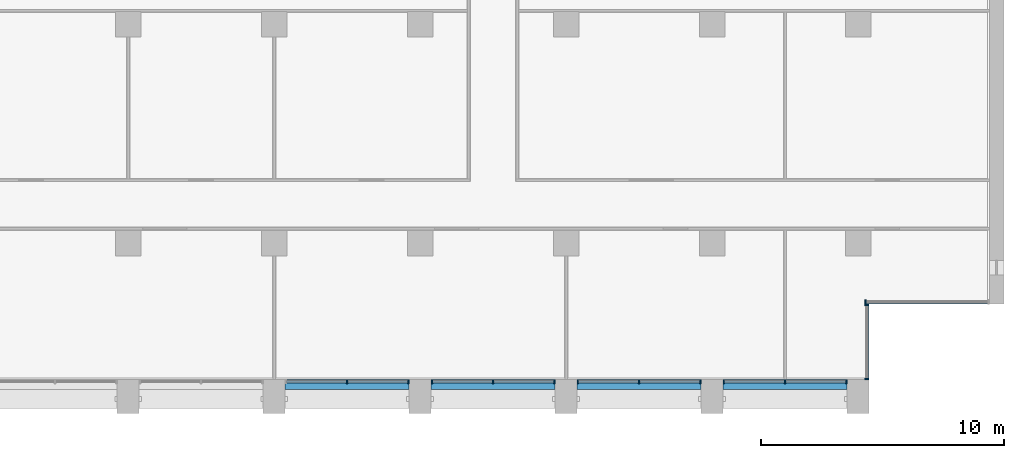
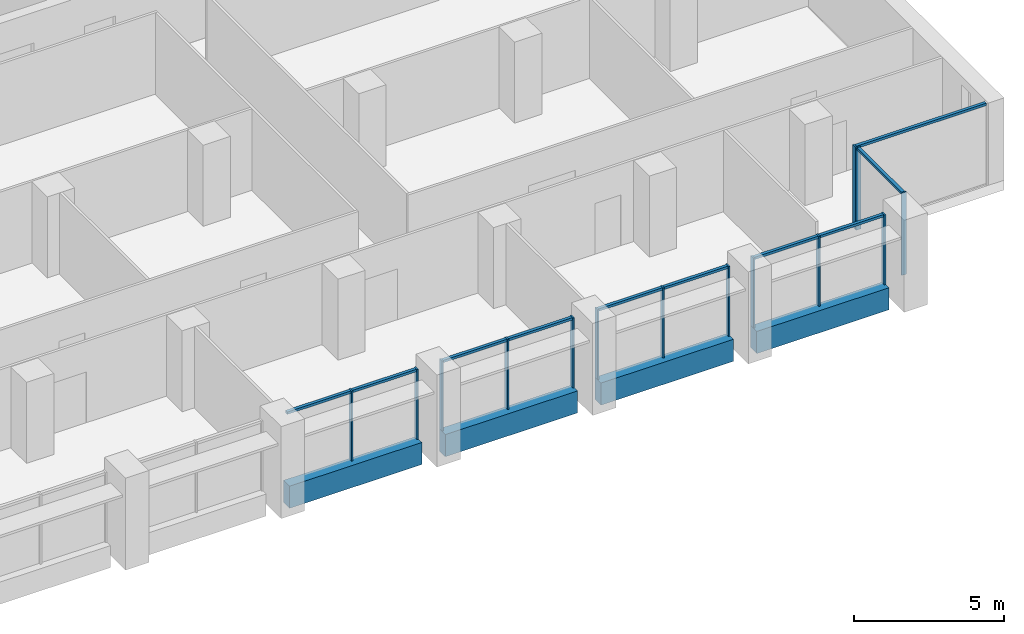
# One storey, part 3 of 17: 24 members, 4 beams, 6 elements without a shape of their own.
"""IFC4 building model written with IfcOpenShell, lengths in metres."""

from ifc_helpers import new_model, si_unit, direction, frame, origin, origin_2d, place, context, subcontext, project, spatial, rectangle, extrude, material, material_profile, profile_set, type_object, element, aggregate, save


model = new_model("IFC4")

# Units and contexts
model_context = context("Model", 3, precision=1e-05, world=origin(), true_north=direction((0.0, 1.0)))
body_context = subcontext(model_context, "Body", "Model", "MODEL_VIEW")
ifc_project = project(units=[si_unit("LENGTHUNIT", "METRE"), si_unit("AREAUNIT", "SQUARE_METRE"), si_unit("VOLUMEUNIT", "CUBIC_METRE"), si_unit("PLANEANGLEUNIT", "RADIAN"), si_unit("MASSUNIT", "GRAM", prefix="KILO")], contexts=[model_context])

# Site, building, storey
site_placement = place(None, origin())
site = spatial("IfcSite", under=ifc_project, at=site_placement, CompositionType="ELEMENT")
building_placement = place(site_placement, origin())
building = spatial("IfcBuilding", under=site, at=building_placement, Name="Calvaro Tower", CompositionType="ELEMENT")
storey_placement = place(building_placement, frame((0.0, 0.0, 200.5)))
storey = spatial("IfcBuildingStorey", under=building, at=storey_placement, Name="L50", CompositionType="ELEMENT", Elevation=200.5)

# Curtain wall, members
ifc_material_1 = material(Name="Anodised aluminium", Category="aluminium")
curtain_wall_type = type_object("IfcCurtainWallType", Name="Office curtain wall, upper zone", PredefinedType="NOTDEFINED", material=ifc_material_1)
curtain_wall_1_placement = place(storey_placement, origin())
curtain_wall_1 = element("IfcCurtainWall", 1, at=curtain_wall_1_placement, inside=storey, type_object=curtain_wall_type, Name="CW3 south curtain wall", PredefinedType="NOTDEFINED")
ifc_material_2 = material(Name="Anodised aluminium", Category="aluminium")
ifc_material_profile_1 = material_profile(ifc_material_2, rectangle(XDim=0.179931640625, YDim=0.06005859375, at=origin_2d()), Name="Mullion S3 60 x 180")
ifc_profile_set_1 = profile_set([ifc_material_profile_1], Name="Anodised aluminium")
member_type_1 = type_object("IfcMemberType", Name="Mullion S3 60 x 180", PredefinedType="MULLION", material=ifc_profile_set_1)
member_1_placement = place(storey_placement, frame((45.0, 4.31005859375, 0.0), z_axis=(0.0, 0.0, 1.0), x_axis=(0.0, 1.0, 0.0)))
member_1 = element("IfcMember", 2, at=member_1_placement, type_object=member_type_1, Name="CW3 mullion 2", PredefinedType="MULLION", context=body_context, shape_type="SweptSolid", body=[
    extrude(rectangle(XDim=0.179931640625, YDim=0.06005859375, at=origin_2d()), origin(), (0.0, 0.0, 1.0), 2.85009765625),
])
member_2_placement = place(storey_placement, frame((47.52001953125, 4.31005859375, 0.0), z_axis=(0.0, 0.0, 1.0), x_axis=(0.0, 1.0, 0.0)))
member_2 = element("IfcMember", 3, at=member_2_placement, type_object=member_type_1, Name="CW3 mullion 3", PredefinedType="MULLION", context=body_context, shape_type="SweptSolid", body=[
    extrude(rectangle(XDim=0.179931640625, YDim=0.06005859375, at=origin_2d()), origin(), (0.0, 0.0, 1.0), 2.85009765625),
])

curtain_wall_2_placement = place(storey_placement, origin())
curtain_wall_2 = element("IfcCurtainWall", 4, at=curtain_wall_2_placement, inside=storey, type_object=curtain_wall_type, Name="CW3 south curtain wall", PredefinedType="NOTDEFINED")
member_3_placement = place(storey_placement, frame((48.47998046875, 4.31005859375, 0.0), z_axis=(0.0, 0.0, 1.0), x_axis=(0.0, 1.0, 0.0)))
member_3 = element("IfcMember", 5, at=member_3_placement, type_object=member_type_1, Name="CW3 mullion 1", PredefinedType="MULLION", context=body_context, shape_type="SweptSolid", body=[
    extrude(rectangle(XDim=0.179931640625, YDim=0.06005859375, at=origin_2d()), origin(), (0.0, 0.0, 1.0), 2.85009765625),
])
member_4_placement = place(storey_placement, frame((51.0, 4.31005859375, 0.0), z_axis=(0.0, 0.0, 1.0), x_axis=(0.0, 1.0, 0.0)))
member_4 = element("IfcMember", 6, at=member_4_placement, type_object=member_type_1, Name="CW3 mullion 2", PredefinedType="MULLION", context=body_context, shape_type="SweptSolid", body=[
    extrude(rectangle(XDim=0.179931640625, YDim=0.06005859375, at=origin_2d()), origin(), (0.0, 0.0, 1.0), 2.85009765625),
])
member_5_placement = place(storey_placement, frame((53.52001953125, 4.31005859375, 0.0), z_axis=(0.0, 0.0, 1.0), x_axis=(0.0, 1.0, 0.0)))
member_5 = element("IfcMember", 7, at=member_5_placement, type_object=member_type_1, Name="CW3 mullion 3", PredefinedType="MULLION", context=body_context, shape_type="SweptSolid", body=[
    extrude(rectangle(XDim=0.179931640625, YDim=0.06005859375, at=origin_2d()), origin(), (0.0, 0.0, 1.0), 2.85009765625),
])

curtain_wall_3_placement = place(storey_placement, origin())
curtain_wall_3 = element("IfcCurtainWall", 8, at=curtain_wall_3_placement, inside=storey, type_object=curtain_wall_type, Name="CW3 south curtain wall", PredefinedType="NOTDEFINED")
member_6_placement = place(storey_placement, frame((54.47998046875, 4.31005859375, 0.0), z_axis=(0.0, 0.0, 1.0), x_axis=(0.0, 1.0, 0.0)))
member_6 = element("IfcMember", 9, at=member_6_placement, type_object=member_type_1, Name="CW3 mullion 1", PredefinedType="MULLION", context=body_context, shape_type="SweptSolid", body=[
    extrude(rectangle(XDim=0.179931640625, YDim=0.06005859375, at=origin_2d()), origin(), (0.0, 0.0, 1.0), 2.85009765625),
])
member_7_placement = place(storey_placement, frame((57.0, 4.31005859375, 0.0), z_axis=(0.0, 0.0, 1.0), x_axis=(0.0, 1.0, 0.0)))
member_7 = element("IfcMember", 10, at=member_7_placement, type_object=member_type_1, Name="CW3 mullion 2", PredefinedType="MULLION", context=body_context, shape_type="SweptSolid", body=[
    extrude(rectangle(XDim=0.179931640625, YDim=0.06005859375, at=origin_2d()), origin(), (0.0, 0.0, 1.0), 2.85009765625),
])
member_8_placement = place(storey_placement, frame((59.52001953125, 4.31005859375, 0.0), z_axis=(0.0, 0.0, 1.0), x_axis=(0.0, 1.0, 0.0)))
member_8 = element("IfcMember", 11, at=member_8_placement, type_object=member_type_1, Name="CW3 mullion 3", PredefinedType="MULLION", context=body_context, shape_type="SweptSolid", body=[
    extrude(rectangle(XDim=0.179931640625, YDim=0.06005859375, at=origin_2d()), origin(), (0.0, 0.0, 1.0), 2.85009765625),
])

curtain_wall_4_placement = place(storey_placement, origin())
curtain_wall_4 = element("IfcCurtainWall", 12, at=curtain_wall_4_placement, inside=storey, type_object=curtain_wall_type, Name="CW3 south curtain wall", PredefinedType="NOTDEFINED")
member_9_placement = place(storey_placement, frame((60.47998046875, 4.31005859375, 0.0), z_axis=(0.0, 0.0, 1.0), x_axis=(0.0, 1.0, 0.0)))
member_9 = element("IfcMember", 13, at=member_9_placement, type_object=member_type_1, Name="CW3 mullion 1", PredefinedType="MULLION", context=body_context, shape_type="SweptSolid", body=[
    extrude(rectangle(XDim=0.179931640625, YDim=0.06005859375, at=origin_2d()), origin(), (0.0, 0.0, 1.0), 2.85009765625),
])
member_10_placement = place(storey_placement, frame((63.0, 4.31005859375, 0.0), z_axis=(0.0, 0.0, 1.0), x_axis=(0.0, 1.0, 0.0)))
member_10 = element("IfcMember", 14, at=member_10_placement, type_object=member_type_1, Name="CW3 mullion 2", PredefinedType="MULLION", context=body_context, shape_type="SweptSolid", body=[
    extrude(rectangle(XDim=0.179931640625, YDim=0.06005859375, at=origin_2d()), origin(), (0.0, 0.0, 1.0), 2.85009765625),
])
member_11_placement = place(storey_placement, frame((65.52001953125, 4.31005859375, 0.0), z_axis=(0.0, 0.0, 1.0), x_axis=(0.0, 1.0, 0.0)))
member_11 = element("IfcMember", 15, at=member_11_placement, type_object=member_type_1, Name="CW3 mullion 3", PredefinedType="MULLION", context=body_context, shape_type="SweptSolid", body=[
    extrude(rectangle(XDim=0.179931640625, YDim=0.06005859375, at=origin_2d()), origin(), (0.0, 0.0, 1.0), 2.85009765625),
])

curtain_wall_5_placement = place(storey_placement, origin())
curtain_wall_5 = element("IfcCurtainWall", 16, at=curtain_wall_5_placement, inside=storey, type_object=curtain_wall_type, Name="CW3 corner curtain wall", PredefinedType="NOTDEFINED")
member_12_placement = place(storey_placement, frame((66.360107421875, 4.429931640625, 0.0), z_axis=(0.0, 0.0, 1.0), x_axis=(-1.0, 0.0, 0.0)))
member_12 = element("IfcMember", 17, at=member_12_placement, type_object=member_type_1, Name="CW3 mullion 1", PredefinedType="MULLION", context=body_context, shape_type="SweptSolid", body=[
    extrude(rectangle(XDim=0.179931640625, YDim=0.06005859375, at=origin_2d()), origin(), (0.0, 0.0, 1.0), 3.35009765625),
])
member_13_placement = place(storey_placement, frame((66.360107421875, 7.469970703125, 0.0), z_axis=(0.0, 0.0, 1.0), x_axis=(-1.0, 0.0, 0.0)))
member_13 = element("IfcMember", 18, at=member_13_placement, type_object=member_type_1, Name="CW3 mullion 2", PredefinedType="MULLION", context=body_context, shape_type="SweptSolid", body=[
    extrude(rectangle(XDim=0.179931640625, YDim=0.06005859375, at=origin_2d()), origin(), (0.0, 0.0, 1.0), 3.35009765625),
])

# Curtain wall, member
curtain_wall_6_placement = place(storey_placement, origin())
curtain_wall_6 = element("IfcCurtainWall", 19, at=curtain_wall_6_placement, inside=storey, type_object=curtain_wall_type, Name="CW3 corner curtain wall", PredefinedType="NOTDEFINED")
member_14_placement = place(storey_placement, frame((66.300048828125, 7.590087890625, 0.0), z_axis=(0.0, 0.0, 1.0), x_axis=(0.0, 1.0, 0.0)))
member_14 = element("IfcMember", 20, at=member_14_placement, type_object=member_type_1, Name="CW3 mullion 1", PredefinedType="MULLION", context=body_context, shape_type="SweptSolid", body=[
    extrude(rectangle(XDim=0.179931640625, YDim=0.06005859375, at=origin_2d()), origin(), (0.0, 0.0, 1.0), 3.35009765625),
])

# Beams
ifc_material_3 = material(Name="Concrete C50/60 precast", Category="concrete")
ifc_material_profile_2 = material_profile(ifc_material_3, rectangle(XDim=0.39990234375, YDim=0.89990234375, at=origin_2d()), Name="RC 400x900")
ifc_profile_set_2 = profile_set([ifc_material_profile_2], Name="Concrete C50/60 precast")
beam_type = type_object("IfcBeamType", Name="Spandrel beam 400x900 C50/60", PredefinedType="SPANDREL", material=ifc_profile_set_2)
for number, where, z_axis, x_axis, name in (
    (21, (42.449951171875, 4.199951171875, -0.449951171875), (1.0, 0.0, 0.0), (0.0, 1.0, 0.0), "Spandrel beam"),
    (22, (48.449951171875, 4.199951171875, -0.449951171875), (1.0, 0.0, 0.0), (0.0, 1.0, 0.0), "Spandrel beam"),
    (23, (54.449951171875, 4.199951171875, -0.449951171875), (1.0, 0.0, 0.0), (0.0, 1.0, 0.0), "Spandrel beam"),
    (24, (60.449951171875, 4.199951171875, -0.449951171875), (1.0, 0.0, 0.0), (0.0, 1.0, 0.0), "Spandrel beam"),
):
    element("IfcBeam", number, at=place(storey_placement, frame(where, z_axis=z_axis, x_axis=x_axis)), inside=storey, type_object=beam_type, Name=name, PredefinedType="SPANDREL", context=body_context, shape_type="SweptSolid", body=[
        extrude(rectangle(XDim=0.39990234375, YDim=0.89990234375, at=origin_2d()), origin(), (0.0, 0.0, 1.0), 5.10009765625),
    ])

# Member
ifc_material_4 = material(Name="Anodised aluminium", Category="aluminium")
ifc_material_profile_3 = material_profile(ifc_material_4, rectangle(XDim=0.1201171875, YDim=0.10009765625, at=origin_2d()), Name="Transom S3 100 x 120")
ifc_profile_set_3 = profile_set([ifc_material_profile_3], Name="Anodised aluminium")
member_type_2 = type_object("IfcMemberType", Name="Transom S3 100 x 120", PredefinedType="USERDEFINED", material=ifc_profile_set_3)
member_15_placement = place(storey_placement, frame((42.510009765625, 4.31005859375, 2.800048828125), z_axis=(1.0, 0.0, 0.0), x_axis=(0.0, 1.0, 0.0)))
member_15 = element("IfcMember", 25, at=member_15_placement, type_object=member_type_2, Name="CW3 transom 1.1", ObjectType="TRANSOM", PredefinedType="USERDEFINED", context=body_context, shape_type="SweptSolid", body=[
    extrude(rectangle(XDim=0.1201171875, YDim=0.10009765625, at=origin_2d()), origin(), (0.0, 0.0, 1.0), 2.4599609375),
])

member_16_placement = place(storey_placement, frame((45.030029296875, 4.31005859375, 2.800048828125), z_axis=(1.0, 0.0, 0.0), x_axis=(0.0, 1.0, 0.0)))
member_16 = element("IfcMember", 26, at=member_16_placement, type_object=member_type_2, Name="CW3 transom 2.1", ObjectType="TRANSOM", PredefinedType="USERDEFINED", context=body_context, shape_type="SweptSolid", body=[
    extrude(rectangle(XDim=0.1201171875, YDim=0.10009765625, at=origin_2d()), origin(), (0.0, 0.0, 1.0), 2.4599609375),
])

aggregate(curtain_wall_1, [member_1, member_2, member_15, member_16])

member_17_placement = place(storey_placement, frame((48.510009765625, 4.31005859375, 2.800048828125), z_axis=(1.0, 0.0, 0.0), x_axis=(0.0, 1.0, 0.0)))
member_17 = element("IfcMember", 27, at=member_17_placement, type_object=member_type_2, Name="CW3 transom 1.1", ObjectType="TRANSOM", PredefinedType="USERDEFINED", context=body_context, shape_type="SweptSolid", body=[
    extrude(rectangle(XDim=0.1201171875, YDim=0.10009765625, at=origin_2d()), origin(), (0.0, 0.0, 1.0), 2.4599609375),
])

member_18_placement = place(storey_placement, frame((51.030029296875, 4.31005859375, 2.800048828125), z_axis=(1.0, 0.0, 0.0), x_axis=(0.0, 1.0, 0.0)))
member_18 = element("IfcMember", 28, at=member_18_placement, type_object=member_type_2, Name="CW3 transom 2.1", ObjectType="TRANSOM", PredefinedType="USERDEFINED", context=body_context, shape_type="SweptSolid", body=[
    extrude(rectangle(XDim=0.1201171875, YDim=0.10009765625, at=origin_2d()), origin(), (0.0, 0.0, 1.0), 2.4599609375),
])

aggregate(curtain_wall_2, [member_3, member_4, member_5, member_17, member_18])

member_19_placement = place(storey_placement, frame((54.510009765625, 4.31005859375, 2.800048828125), z_axis=(1.0, 0.0, 0.0), x_axis=(0.0, 1.0, 0.0)))
member_19 = element("IfcMember", 29, at=member_19_placement, type_object=member_type_2, Name="CW3 transom 1.1", ObjectType="TRANSOM", PredefinedType="USERDEFINED", context=body_context, shape_type="SweptSolid", body=[
    extrude(rectangle(XDim=0.1201171875, YDim=0.10009765625, at=origin_2d()), origin(), (0.0, 0.0, 1.0), 2.4599609375),
])

member_20_placement = place(storey_placement, frame((57.030029296875, 4.31005859375, 2.800048828125), z_axis=(1.0, 0.0, 0.0), x_axis=(0.0, 1.0, 0.0)))
member_20 = element("IfcMember", 30, at=member_20_placement, type_object=member_type_2, Name="CW3 transom 2.1", ObjectType="TRANSOM", PredefinedType="USERDEFINED", context=body_context, shape_type="SweptSolid", body=[
    extrude(rectangle(XDim=0.1201171875, YDim=0.10009765625, at=origin_2d()), origin(), (0.0, 0.0, 1.0), 2.4599609375),
])

aggregate(curtain_wall_3, [member_6, member_7, member_8, member_19, member_20])

member_21_placement = place(storey_placement, frame((60.510009765625, 4.31005859375, 2.800048828125), z_axis=(1.0, 0.0, 0.0), x_axis=(0.0, 1.0, 0.0)))
member_21 = element("IfcMember", 31, at=member_21_placement, type_object=member_type_2, Name="CW3 transom 1.1", ObjectType="TRANSOM", PredefinedType="USERDEFINED", context=body_context, shape_type="SweptSolid", body=[
    extrude(rectangle(XDim=0.1201171875, YDim=0.10009765625, at=origin_2d()), origin(), (0.0, 0.0, 1.0), 2.4599609375),
])

member_22_placement = place(storey_placement, frame((63.030029296875, 4.31005859375, 2.800048828125), z_axis=(1.0, 0.0, 0.0), x_axis=(0.0, 1.0, 0.0)))
member_22 = element("IfcMember", 32, at=member_22_placement, type_object=member_type_2, Name="CW3 transom 2.1", ObjectType="TRANSOM", PredefinedType="USERDEFINED", context=body_context, shape_type="SweptSolid", body=[
    extrude(rectangle(XDim=0.1201171875, YDim=0.10009765625, at=origin_2d()), origin(), (0.0, 0.0, 1.0), 2.4599609375),
])

aggregate(curtain_wall_4, [member_9, member_10, member_11, member_21, member_22])

member_23_placement = place(storey_placement, frame((66.360107421875, 4.4599609375, 3.300048828125), z_axis=(0.0, 1.0, 0.0), x_axis=(-1.0, 0.0, 0.0)))
member_23 = element("IfcMember", 33, at=member_23_placement, type_object=member_type_2, Name="CW3 transom 1.1", ObjectType="TRANSOM", PredefinedType="USERDEFINED", context=body_context, shape_type="SweptSolid", body=[
    extrude(rectangle(XDim=0.1201171875, YDim=0.10009765625, at=origin_2d()), origin(), (0.0, 0.0, 1.0), 2.97998046875),
])

aggregate(curtain_wall_5, [member_12, member_13, member_23])

member_24_placement = place(storey_placement, frame((66.330078125, 7.590087890625, 3.300048828125), z_axis=(1.0, 0.0, 0.0), x_axis=(0.0, 1.0, 0.0)))
member_24 = element("IfcMember", 34, at=member_24_placement, type_object=member_type_2, Name="CW3 transom 1.1", ObjectType="TRANSOM", PredefinedType="USERDEFINED", context=body_context, shape_type="SweptSolid", body=[
    extrude(rectangle(XDim=0.1201171875, YDim=0.10009765625, at=origin_2d()), origin(), (0.0, 0.0, 1.0), 5.010009765625),
])

aggregate(curtain_wall_6, [member_14, member_24])

save(model, "model.ifc")
